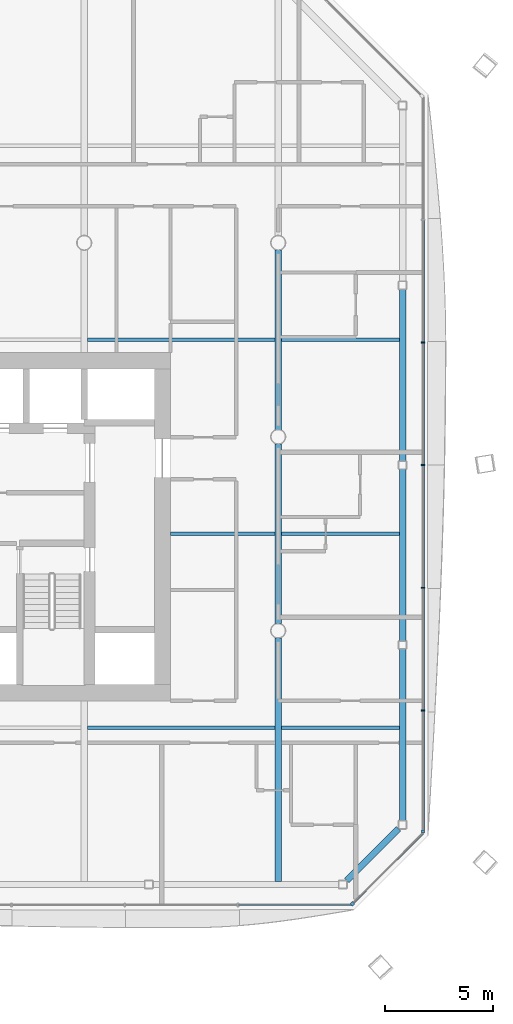
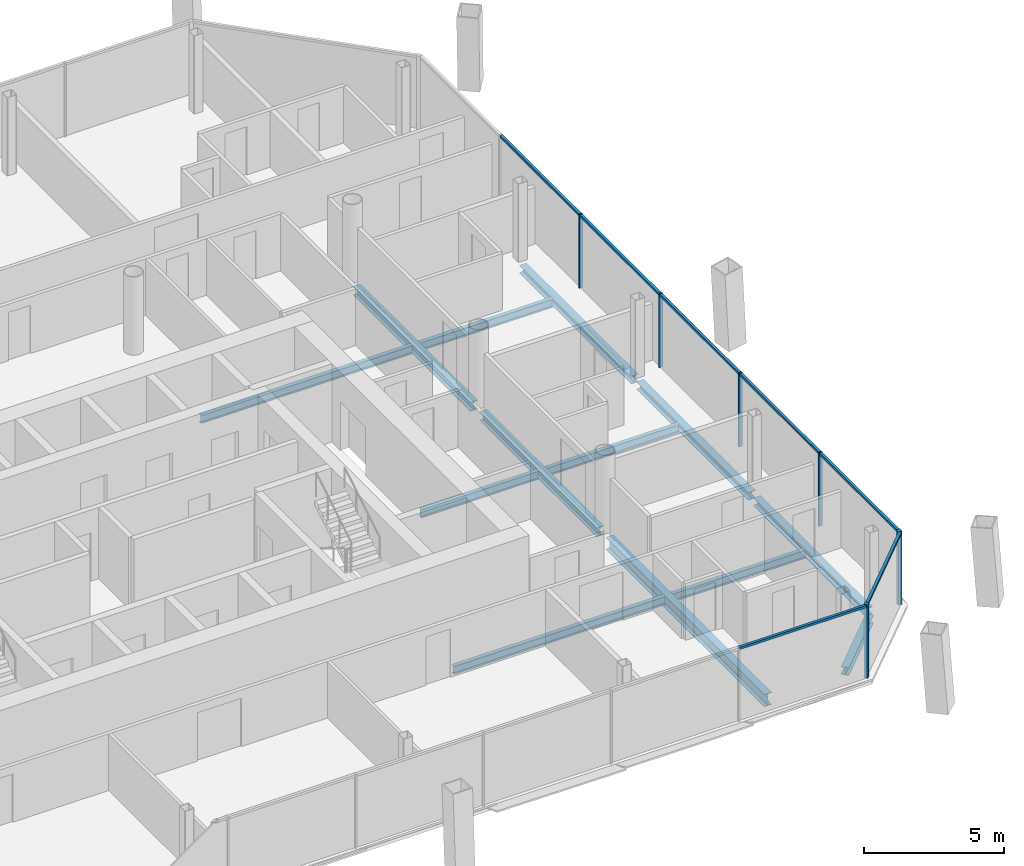
# One storey, part 8 of 18: 13 beams, 13 members, 3 elements without a shape of their own.
"""IFC4 building model written with IfcOpenShell, lengths in metres."""

from ifc_helpers import new_model, si_unit, direction, frame, origin, origin_2d, place, context, subcontext, project, spatial, rectangle, i_section, extrude, material, material_profile, profile_set, type_object, element, aggregate, save


model = new_model("IFC4")

# Units and contexts
model_context = context("Model", 3, precision=1e-05, world=origin(), true_north=direction((0.0, 1.0)))
body_context = subcontext(model_context, "Body", "Model", "MODEL_VIEW")
ifc_project = project(units=[si_unit("LENGTHUNIT", "METRE"), si_unit("AREAUNIT", "SQUARE_METRE"), si_unit("VOLUMEUNIT", "CUBIC_METRE"), si_unit("PLANEANGLEUNIT", "RADIAN"), si_unit("MASSUNIT", "GRAM", prefix="KILO")], contexts=[model_context])

# Site, building, storey
site_placement = place(None, origin())
site = spatial("IfcSite", under=ifc_project, at=site_placement, CompositionType="ELEMENT")
building_placement = place(site_placement, origin())
building = spatial("IfcBuilding", under=site, at=building_placement, Name="Tskaro Facet Tower", CompositionType="ELEMENT")
storey_placement = place(building_placement, frame((0.0, 0.0, 155.5)))
storey = spatial("IfcBuildingStorey", under=building, at=storey_placement, Name="L38", CompositionType="ELEMENT", Elevation=155.5)

# Curtain wall, member
ifc_material_1 = material(Name="Bronze anodised aluminium 6063-T6", Category="aluminium")
curtain_wall_type = type_object("IfcCurtainWallType", Name="Bronze hotel curtain wall (FW2)", PredefinedType="NOTDEFINED", material=ifc_material_1)
curtain_wall_1_placement = place(storey_placement, origin())
curtain_wall_1 = element("IfcCurtainWall", 1, at=curtain_wall_1_placement, inside=storey, type_object=curtain_wall_type, Name="FW2 south-east facet L38", PredefinedType="NOTDEFINED")
ifc_material_profile_1 = material_profile(ifc_material_1, rectangle(XDim=0.14990234375, YDim=0.14990234375, at=origin_2d()), Name="Corner post 150x150")
ifc_profile_set_1 = profile_set([ifc_material_profile_1], Name="Bronze anodised aluminium 6063-T6")
member_type_1 = type_object("IfcMemberType", Name="FW2 bronze corner post 150x150", PredefinedType="MULLION", material=ifc_profile_set_1)
member_1_placement = place(storey_placement, frame((21.445068359375, -21.6708984375, 0.0), z_axis=(0.0, 0.0, 1.0), x_axis=(0.707106781187, 0.707106781187, 0.0)))
member_1 = element("IfcMember", 2, at=member_1_placement, type_object=member_type_1, Name="FW2 south-east corner post", PredefinedType="MULLION", context=body_context, shape_type="SweptSolid", body=[
    extrude(rectangle(XDim=0.14990234375, YDim=0.14990234375, at=origin_2d()), origin(), (0.0, 0.0, 1.0), 3.199951171875),
])

# Curtain wall, members
curtain_wall_2_placement = place(storey_placement, origin())
curtain_wall_2 = element("IfcCurtainWall", 3, at=curtain_wall_2_placement, inside=storey, type_object=curtain_wall_type, Name="FW2 east facet L38", PredefinedType="NOTDEFINED")
member_2_placement = place(storey_placement, frame((24.72412109375, -18.31689453125, 0.0), z_axis=(0.0, 0.0, 1.0), x_axis=(0.0, 1.0, 0.0)))
member_2 = element("IfcMember", 4, at=member_2_placement, type_object=member_type_1, Name="FW2 east corner post", PredefinedType="MULLION", context=body_context, shape_type="SweptSolid", body=[
    extrude(rectangle(XDim=0.14990234375, YDim=0.14990234375, at=origin_2d()), origin(), (0.0, 0.0, 1.0), 3.199951171875),
])
ifc_material_profile_2 = material_profile(ifc_material_1, rectangle(XDim=0.06005859375, YDim=0.14990234375, at=origin_2d()), Name="Mullion 60x150")
ifc_profile_set_2 = profile_set([ifc_material_profile_2], Name="Bronze anodised aluminium 6063-T6")
member_type_2 = type_object("IfcMemberType", Name="FW2 bronze mullion 60x150", PredefinedType="MULLION", material=ifc_profile_set_2)
member_3_placement = place(storey_placement, frame((24.72412109375, -12.699951171875, 0.0), z_axis=(0.0, 0.0, 1.0), x_axis=(0.0, 1.0, 0.0)))
member_3 = element("IfcMember", 5, at=member_3_placement, type_object=member_type_2, Name="FW2 east mullion 1", PredefinedType="MULLION", context=body_context, shape_type="SweptSolid", body=[
    extrude(rectangle(XDim=0.06005859375, YDim=0.14990234375, at=origin_2d()), origin(), (0.0, 0.0, 1.0), 3.199951171875),
])
member_4_placement = place(storey_placement, frame((24.72412109375, -7.007568359375, 0.0), z_axis=(0.0, 0.0, 1.0), x_axis=(0.0, 1.0, 0.0)))
member_4 = element("IfcMember", 6, at=member_4_placement, type_object=member_type_2, Name="FW2 east mullion 2", PredefinedType="MULLION", context=body_context, shape_type="SweptSolid", body=[
    extrude(rectangle(XDim=0.06005859375, YDim=0.14990234375, at=origin_2d()), origin(), (0.0, 0.0, 1.0), 3.199951171875),
])
member_5_placement = place(storey_placement, frame((24.72412109375, -1.3154296875, 0.0), z_axis=(0.0, 0.0, 1.0), x_axis=(0.0, 1.0, 0.0)))
member_5 = element("IfcMember", 7, at=member_5_placement, type_object=member_type_2, Name="FW2 east mullion 3", PredefinedType="MULLION", context=body_context, shape_type="SweptSolid", body=[
    extrude(rectangle(XDim=0.06005859375, YDim=0.14990234375, at=origin_2d()), origin(), (0.0, 0.0, 1.0), 3.199951171875),
])
member_6_placement = place(storey_placement, frame((24.72412109375, 4.376708984375, 0.0), z_axis=(0.0, 0.0, 1.0), x_axis=(0.0, 1.0, 0.0)))
member_6 = element("IfcMember", 8, at=member_6_placement, type_object=member_type_2, Name="FW2 east mullion 4", PredefinedType="MULLION", context=body_context, shape_type="SweptSolid", body=[
    extrude(rectangle(XDim=0.06005859375, YDim=0.14990234375, at=origin_2d()), origin(), (0.0, 0.0, 1.0), 3.199951171875),
])

# Curtain wall, member
curtain_wall_3_placement = place(storey_placement, origin())
curtain_wall_3 = element("IfcCurtainWall", 9, at=curtain_wall_3_placement, inside=storey, type_object=curtain_wall_type, Name="FW2 south facet L38", PredefinedType="NOTDEFINED")
ifc_material_profile_3 = material_profile(ifc_material_1, rectangle(XDim=0.110107421875, YDim=0.10009765625, at=origin_2d()), Name="Transom 110x100")
ifc_profile_set_3 = profile_set([ifc_material_profile_3], Name="Bronze anodised aluminium 6063-T6")
member_type_3 = type_object("IfcMemberType", Name="FW2 bronze transom 110x100", PredefinedType="USERDEFINED", material=ifc_profile_set_3)
member_7_placement = place(storey_placement, frame((16.167236328125, -21.72412109375, 3.14990234375), z_axis=(1.0, 0.0, 0.0), x_axis=(0.0, 1.0, 0.0)))
member_7 = element("IfcMember", 10, at=member_7_placement, type_object=member_type_3, Name="FW2 south transom 7.1", ObjectType="TRANSOM", PredefinedType="USERDEFINED", context=body_context, shape_type="SweptSolid", body=[
    extrude(rectangle(XDim=0.110107421875, YDim=0.10009765625, at=origin_2d()), origin(), (0.0, 0.0, 1.0), 5.224853515625),
])
aggregate(curtain_wall_3, [member_7])

# Member
member_8_placement = place(storey_placement, frame((21.498046875, -21.617919921875, 3.14990234375), z_axis=(0.707133537663, 0.707080023698, 0.0), x_axis=(-0.707080023698, 0.707133537663, 0.0)))
member_8 = element("IfcMember", 11, at=member_8_placement, type_object=member_type_3, Name="FW2 south-east transom 1.1", ObjectType="TRANSOM", PredefinedType="USERDEFINED", context=body_context, shape_type="SweptSolid", body=[
    extrude(rectangle(XDim=0.110107421875, YDim=0.10009765625, at=origin_2d()), origin(), (0.0, 0.0, 1.0), 4.562255859375),
])

aggregate(curtain_wall_1, [member_1, member_8])

member_9_placement = place(storey_placement, frame((24.72412109375, -18.241943359375, 3.14990234375), z_axis=(0.0, 1.0, 0.0), x_axis=(-1.0, 0.0, 0.0)))
member_9 = element("IfcMember", 12, at=member_9_placement, type_object=member_type_3, Name="FW2 east transom 1.1", ObjectType="TRANSOM", PredefinedType="USERDEFINED", context=body_context, shape_type="SweptSolid", body=[
    extrude(rectangle(XDim=0.110107421875, YDim=0.10009765625, at=origin_2d()), origin(), (0.0, 0.0, 1.0), 5.51220703125),
])

member_10_placement = place(storey_placement, frame((24.72412109375, -12.669921875, 3.14990234375), z_axis=(0.0, 1.0, 0.0), x_axis=(-1.0, 0.0, 0.0)))
member_10 = element("IfcMember", 13, at=member_10_placement, type_object=member_type_3, Name="FW2 east transom 2.1", ObjectType="TRANSOM", PredefinedType="USERDEFINED", context=body_context, shape_type="SweptSolid", body=[
    extrude(rectangle(XDim=0.110107421875, YDim=0.10009765625, at=origin_2d()), origin(), (0.0, 0.0, 1.0), 5.63232421875),
])

member_11_placement = place(storey_placement, frame((24.72412109375, -6.977783203125, 3.14990234375), z_axis=(0.0, 1.0, 0.0), x_axis=(-1.0, 0.0, 0.0)))
member_11 = element("IfcMember", 14, at=member_11_placement, type_object=member_type_3, Name="FW2 east transom 3.1", ObjectType="TRANSOM", PredefinedType="USERDEFINED", context=body_context, shape_type="SweptSolid", body=[
    extrude(rectangle(XDim=0.110107421875, YDim=0.10009765625, at=origin_2d()), origin(), (0.0, 0.0, 1.0), 5.63232421875),
])

member_12_placement = place(storey_placement, frame((24.72412109375, -1.285400390625, 3.14990234375), z_axis=(0.0, 1.0, 0.0), x_axis=(-1.0, 0.0, 0.0)))
member_12 = element("IfcMember", 15, at=member_12_placement, type_object=member_type_3, Name="FW2 east transom 4.1", ObjectType="TRANSOM", PredefinedType="USERDEFINED", context=body_context, shape_type="SweptSolid", body=[
    extrude(rectangle(XDim=0.110107421875, YDim=0.10009765625, at=origin_2d()), origin(), (0.0, 0.0, 1.0), 5.632080078125),
])

member_13_placement = place(storey_placement, frame((24.72412109375, 4.40673828125, 3.14990234375), z_axis=(0.0, 1.0, 0.0), x_axis=(-1.0, 0.0, 0.0)))
member_13 = element("IfcMember", 16, at=member_13_placement, type_object=member_type_3, Name="FW2 east transom 5.1", ObjectType="TRANSOM", PredefinedType="USERDEFINED", context=body_context, shape_type="SweptSolid", body=[
    extrude(rectangle(XDim=0.110107421875, YDim=0.10009765625, at=origin_2d()), origin(), (0.0, 0.0, 1.0), 5.632080078125),
])

aggregate(curtain_wall_2, [member_2, member_3, member_4, member_5, member_6, member_9, member_10, member_11, member_12, member_13])

# Beams
ifc_material_2 = material(Name="Steel S355J2", Category="steel")
ifc_material_profile_4 = material_profile(ifc_material_2, i_section(OverallWidth=0.300048828125, OverallDepth=0.340087890625, WebThickness=0.011962890625, FlangeThickness=0.021484375, FilletRadius=0.027099609375, at=origin_2d()), Name="HE 340 B")
ifc_profile_set_4 = profile_set([ifc_material_profile_4], Name="Steel S355J2")
beam_type_1 = type_object("IfcBeamType", Name="HE 340 B ring beam", PredefinedType="BEAM", material=ifc_profile_set_4)
beam_1_placement = place(storey_placement, frame((21.184814453125, -20.588134765625, -0.31005859375), z_axis=(0.707106781187, 0.707106781187, 0.0), x_axis=(-0.707106781187, 0.707106781187, 0.0)))
element("IfcBeam", 17, at=beam_1_placement, inside=storey, type_object=beam_type_1, Name="HE 340 B EB5-3", PredefinedType="BEAM", context=body_context, shape_type="SweptSolid", body=[
    extrude(i_section(OverallWidth=0.300048828125, OverallDepth=0.340087890625, WebThickness=0.011962890625, FlangeThickness=0.021484375, FilletRadius=0.027099609375, at=origin_2d()), origin(), (0.0, 0.0, 1.0), 3.39892578125),
])
beam_2_placement = place(storey_placement, frame((23.77392578125, -17.819091796875, -0.31005859375), z_axis=(0.0, 1.0, 0.0), x_axis=(-1.0, 0.0, 0.0)))
element("IfcBeam", 18, at=beam_2_placement, inside=storey, type_object=beam_type_1, Name="HE 340 B EB6-3", PredefinedType="BEAM", context=body_context, shape_type="SweptSolid", body=[
    extrude(i_section(OverallWidth=0.300048828125, OverallDepth=0.340087890625, WebThickness=0.011962890625, FlangeThickness=0.021484375, FilletRadius=0.027099609375, at=origin_2d()), origin(), (0.0, 0.0, 1.0), 7.982177734375),
])
beam_3_placement = place(storey_placement, frame((23.77392578125, -9.47705078125, -0.31005859375), z_axis=(0.0, 1.0, 0.0), x_axis=(-1.0, 0.0, 0.0)))
element("IfcBeam", 19, at=beam_3_placement, inside=storey, type_object=beam_type_1, Name="HE 340 B EB7-3", PredefinedType="BEAM", context=body_context, shape_type="SweptSolid", body=[
    extrude(i_section(OverallWidth=0.300048828125, OverallDepth=0.340087890625, WebThickness=0.011962890625, FlangeThickness=0.021484375, FilletRadius=0.027099609375, at=origin_2d()), origin(), (0.0, 0.0, 1.0), 7.98095703125),
])
beam_4_placement = place(storey_placement, frame((23.77392578125, -1.135986328125, -0.31005859375), z_axis=(0.0, 1.0, 0.0), x_axis=(-1.0, 0.0, 0.0)))
element("IfcBeam", 20, at=beam_4_placement, inside=storey, type_object=beam_type_1, Name="HE 340 B EB8-3", PredefinedType="BEAM", context=body_context, shape_type="SweptSolid", body=[
    extrude(i_section(OverallWidth=0.300048828125, OverallDepth=0.340087890625, WebThickness=0.011962890625, FlangeThickness=0.021484375, FilletRadius=0.027099609375, at=origin_2d()), origin(), (0.0, 0.0, 1.0), 7.98193359375),
])
ifc_material_profile_5 = material_profile(ifc_material_2, i_section(OverallWidth=0.300048828125, OverallDepth=0.389892578125, WebThickness=0.010986328125, FlangeThickness=0.01904296875, FilletRadius=0.027099609375, at=origin_2d()), Name="HE 400 A")
ifc_profile_set_5 = profile_set([ifc_material_profile_5], Name="Steel S355J2")
beam_type_2 = type_object("IfcBeamType", Name="HE 400 A girder", PredefinedType="BEAM", material=ifc_profile_set_5)
for number, where, z_axis, x_axis, name in (
    (21, (18.0, -8.674560546875, -0.3349609375), (0.0, 1.0, 0.0), (-1.0, 0.0, 0.0), "HE 400 A GB6-2-3"),
    (22, (18.0, 0.325439453125, -0.3349609375), (0.0, 1.0, 0.0), (-1.0, 0.0, 0.0), "HE 400 A GB6-3-3"),
):
    element("IfcBeam", number, at=place(storey_placement, frame(where, z_axis=z_axis, x_axis=x_axis)), inside=storey, type_object=beam_type_2, Name=name, PredefinedType="BEAM", context=body_context, shape_type="SweptSolid", body=[
        extrude(i_section(OverallWidth=0.300048828125, OverallDepth=0.389892578125, WebThickness=0.010986328125, FlangeThickness=0.01904296875, FilletRadius=0.027099609375, at=origin_2d()), origin(), (0.0, 0.0, 1.0), 8.34912109375),
    ])
ifc_material_profile_6 = material_profile(ifc_material_2, i_section(OverallWidth=0.300048828125, OverallDepth=0.5400390625, WebThickness=0.012451171875, FlangeThickness=0.02392578125, FilletRadius=0.027099609375, at=origin_2d()), Name="HE 550 A")
ifc_profile_set_6 = profile_set([ifc_material_profile_6], Name="Steel S355J2")
beam_type_3 = type_object("IfcBeamType", Name="HE 550 A long girder", PredefinedType="BEAM", material=ifc_profile_set_6)
beam_5_placement = place(storey_placement, frame((18.0, -20.6240234375, -0.409912109375), z_axis=(0.0, 1.0, 0.0), x_axis=(-1.0, 0.0, 0.0)))
element("IfcBeam", 23, at=beam_5_placement, inside=storey, type_object=beam_type_3, Name="HE 550 A LGB6-1-3", PredefinedType="BEAM", context=body_context, shape_type="SweptSolid", body=[
    extrude(i_section(OverallWidth=0.300048828125, OverallDepth=0.5400390625, WebThickness=0.012451171875, FlangeThickness=0.02392578125, FilletRadius=0.027099609375, at=origin_2d()), origin(), (0.0, 0.0, 1.0), 11.298583984375),
])
ifc_material_profile_7 = material_profile(ifc_material_2, i_section(OverallWidth=0.169921875, OverallDepth=0.360107421875, WebThickness=0.008056640625, FlangeThickness=0.0126953125, FilletRadius=0.01806640625, at=origin_2d()), Name="IPE 360")
ifc_profile_set_7 = profile_set([ifc_material_profile_7], Name="Steel S355J2")
beam_type_4 = type_object("IfcBeamType", Name="IPE 360 secondary beam", PredefinedType="BEAM", material=ifc_profile_set_7)
beam_6_placement = place(storey_placement, frame((9.14990234375, -13.5, -0.320068359375), z_axis=(1.0, 0.0, 0.0), x_axis=(0.0, 1.0, 0.0)))
element("IfcBeam", 24, at=beam_6_placement, inside=storey, type_object=beam_type_4, Name="IPE 360 SB2a-4-3", PredefinedType="BEAM", context=body_context, shape_type="SweptSolid", body=[
    extrude(i_section(OverallWidth=0.169921875, OverallDepth=0.360107421875, WebThickness=0.008056640625, FlangeThickness=0.0126953125, FilletRadius=0.01806640625, at=origin_2d()), origin(), (0.0, 0.0, 1.0), 8.7001953125),
])
beam_7_placement = place(storey_placement, frame((18.14990234375, -13.5, -0.320068359375), z_axis=(1.0, 0.0, 0.0), x_axis=(0.0, 1.0, 0.0)))
element("IfcBeam", 25, at=beam_7_placement, inside=storey, type_object=beam_type_4, Name="IPE 360 SB2a-5-3", PredefinedType="BEAM", context=body_context, shape_type="SweptSolid", body=[
    extrude(i_section(OverallWidth=0.169921875, OverallDepth=0.360107421875, WebThickness=0.008056640625, FlangeThickness=0.0126953125, FilletRadius=0.01806640625, at=origin_2d()), origin(), (0.0, 0.0, 1.0), 5.47412109375),
])
beam_8_placement = place(storey_placement, frame((13.0, -4.5, -0.320068359375), z_axis=(1.0, 0.0, 0.0), x_axis=(0.0, 1.0, 0.0)))
element("IfcBeam", 26, at=beam_8_placement, inside=storey, type_object=beam_type_4, Name="IPE 360 SB3a-2-3", PredefinedType="BEAM", context=body_context, shape_type="SweptSolid", body=[
    extrude(i_section(OverallWidth=0.169921875, OverallDepth=0.360107421875, WebThickness=0.008056640625, FlangeThickness=0.0126953125, FilletRadius=0.01806640625, at=origin_2d()), origin(), (0.0, 0.0, 1.0), 4.85009765625),
])
beam_9_placement = place(storey_placement, frame((18.14990234375, -4.5, -0.320068359375), z_axis=(1.0, 0.0, 0.0), x_axis=(0.0, 1.0, 0.0)))
element("IfcBeam", 27, at=beam_9_placement, inside=storey, type_object=beam_type_4, Name="IPE 360 SB3a-3-3", PredefinedType="BEAM", context=body_context, shape_type="SweptSolid", body=[
    extrude(i_section(OverallWidth=0.169921875, OverallDepth=0.360107421875, WebThickness=0.008056640625, FlangeThickness=0.0126953125, FilletRadius=0.01806640625, at=origin_2d()), origin(), (0.0, 0.0, 1.0), 5.47412109375),
])
beam_10_placement = place(storey_placement, frame((9.14990234375, 4.5, -0.320068359375), z_axis=(1.0, 0.0, 0.0), x_axis=(0.0, 1.0, 0.0)))
element("IfcBeam", 28, at=beam_10_placement, inside=storey, type_object=beam_type_4, Name="IPE 360 SB4a-4-3", PredefinedType="BEAM", context=body_context, shape_type="SweptSolid", body=[
    extrude(i_section(OverallWidth=0.169921875, OverallDepth=0.360107421875, WebThickness=0.008056640625, FlangeThickness=0.0126953125, FilletRadius=0.01806640625, at=origin_2d()), origin(), (0.0, 0.0, 1.0), 8.7001953125),
])
beam_11_placement = place(storey_placement, frame((18.14990234375, 4.5, -0.320068359375), z_axis=(1.0, 0.0, 0.0), x_axis=(0.0, 1.0, 0.0)))
element("IfcBeam", 29, at=beam_11_placement, inside=storey, type_object=beam_type_4, Name="IPE 360 SB4a-5-3", PredefinedType="BEAM", context=body_context, shape_type="SweptSolid", body=[
    extrude(i_section(OverallWidth=0.169921875, OverallDepth=0.360107421875, WebThickness=0.008056640625, FlangeThickness=0.0126953125, FilletRadius=0.01806640625, at=origin_2d()), origin(), (0.0, 0.0, 1.0), 5.47412109375),
])

save(model, "model.ifc")
